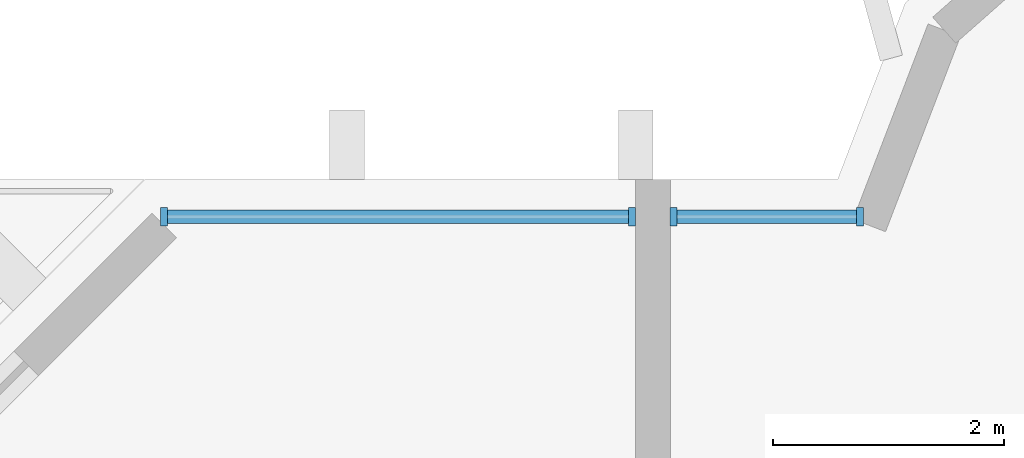
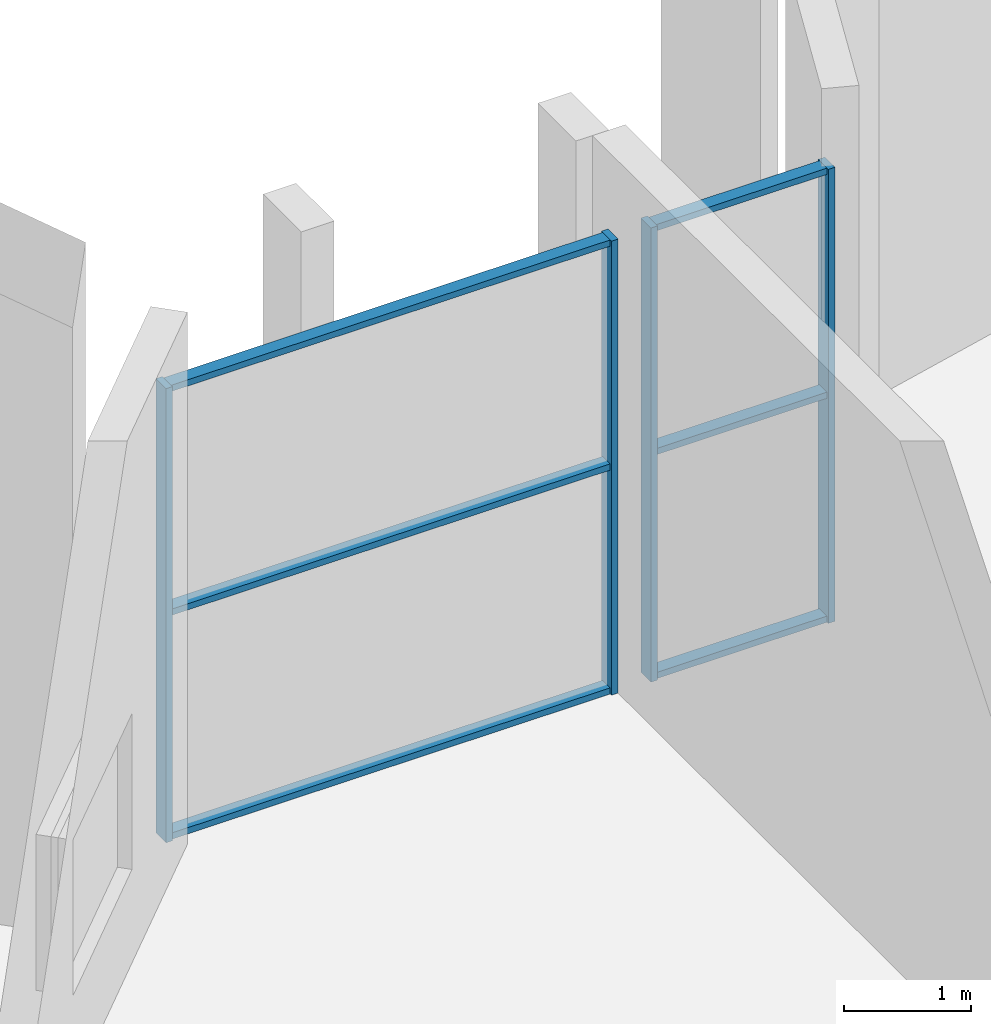
# One storey, part 5 of 19: 10 members, 2 elements without a shape of their own.
"""IFC4 building model written with IfcOpenShell, lengths in metres."""

from ifc_helpers import new_model, si_unit, direction, frame, origin, origin_2d, place, context, subcontext, project, spatial, rectangle, extrude, source, transform, mapped, material, material_profile, profile_set, type_object, element, aggregate, save


model = new_model("IFC4")

# Units and contexts
model_context = context("Model", 3, precision=1e-05, world=origin(), true_north=direction((0.0, 1.0)))
body_context = subcontext(model_context, "Body", "Model", "MODEL_VIEW")
ifc_project = project(units=[si_unit("LENGTHUNIT", "METRE"), si_unit("AREAUNIT", "SQUARE_METRE"), si_unit("VOLUMEUNIT", "CUBIC_METRE"), si_unit("PLANEANGLEUNIT", "RADIAN"), si_unit("MASSUNIT", "GRAM", prefix="KILO")], contexts=[model_context])

# Site, building, storey
site_placement = place(None, origin())
site = spatial("IfcSite", under=ifc_project, at=site_placement, CompositionType="ELEMENT")
building_placement = place(site_placement, origin())
building = spatial("IfcBuilding", under=site, at=building_placement, Name="Vanashikhar Sky Hotel", CompositionType="ELEMENT")
storey_placement = place(building_placement, frame((0.0, 0.0, 146.199951171875)))
storey = spatial("IfcBuildingStorey", under=building, at=storey_placement, Name="L35", CompositionType="ELEMENT", Elevation=146.199951171875)

# Curtain wall, members
ifc_material_1 = material(Name="Glass", Category="glass")
curtain_wall_type = type_object("IfcCurtainWallType", Name="Sky lobby curtain wall", PredefinedType="NOTDEFINED", material=ifc_material_1)
curtain_wall_1_placement = place(storey_placement, origin())
curtain_wall_1 = element("IfcCurtainWall", 1, at=curtain_wall_1_placement, inside=storey, type_object=curtain_wall_type, Name="Sky lobby curtain wall", PredefinedType="NOTDEFINED")
ifc_material_2 = material(Name="Aluminium 6063-T6", Category="aluminium")
ifc_material_profile_1 = material_profile(ifc_material_2, rectangle(XDim=0.159912109375, YDim=0.06005859375, at=origin_2d()))
ifc_profile_set_1 = profile_set([ifc_material_profile_1], Name="Aluminium 6063-T6")
member_type_1 = type_object("IfcMemberType", Name="Sky lobby mullion 60 x 160", PredefinedType="MULLION", material=ifc_profile_set_1)
shared_shape_1 = source(origin(), body_context, "Body", "SweptSolid", [
    extrude(rectangle(XDim=0.159912109375, YDim=0.06005859375, at=origin_2d()), origin(), (0.0, 0.0, 1.0), 4.3701171875),
])
member_1_placement = place(storey_placement, frame((16.6201171875, 41.675048828125, 0.0), z_axis=(0.0, 0.0, 1.0), x_axis=(0.0, -1.0, 0.0)))
member_1 = element("IfcMember", 2, at=member_1_placement, type_object=member_type_1, Name="CW-4 mullion 1", PredefinedType="MULLION", context=body_context, shape_type="MappedRepresentation", body=[
    mapped(shared_shape_1, transform((0.0, 0.0, 0.0), scale=1.0)),
])
member_2_placement = place(storey_placement, frame((12.564697265625, 41.675048828125, 0.0), z_axis=(0.0, 0.0, 1.0), x_axis=(0.0, -1.0, 0.0)))
member_2 = element("IfcMember", 3, at=member_2_placement, type_object=member_type_1, Name="CW-4 mullion 2", PredefinedType="MULLION", context=body_context, shape_type="MappedRepresentation", body=[
    mapped(shared_shape_1, transform((0.0, 0.0, 0.0), scale=1.0)),
])

curtain_wall_2_placement = place(storey_placement, origin())
curtain_wall_2 = element("IfcCurtainWall", 4, at=curtain_wall_2_placement, inside=storey, type_object=curtain_wall_type, Name="Sky lobby curtain wall", PredefinedType="NOTDEFINED")
member_3_placement = place(storey_placement, frame((18.593505859375, 41.675048828125, 0.0), z_axis=(0.0, 0.0, 1.0), x_axis=(0.0, -1.0, 0.0)))
member_3 = element("IfcMember", 5, at=member_3_placement, type_object=member_type_1, Name="CW-4 mullion 1", PredefinedType="MULLION", context=body_context, shape_type="MappedRepresentation", body=[
    mapped(shared_shape_1, transform((0.0, 0.0, 0.0), scale=1.0)),
])
member_4_placement = place(storey_placement, frame((16.97998046875, 41.675048828125, 0.0), z_axis=(0.0, 0.0, 1.0), x_axis=(0.0, -1.0, 0.0)))
member_4 = element("IfcMember", 6, at=member_4_placement, type_object=member_type_1, Name="CW-4 mullion 2", PredefinedType="MULLION", context=body_context, shape_type="MappedRepresentation", body=[
    mapped(shared_shape_1, transform((0.0, 0.0, 0.0), scale=1.0)),
])

# Member
ifc_material_profile_2 = material_profile(ifc_material_2, rectangle(XDim=0.1201171875, YDim=0.06005859375, at=origin_2d()))
ifc_profile_set_2 = profile_set([ifc_material_profile_2], Name="Aluminium 6063-T6")
member_type_2 = type_object("IfcMemberType", Name="Sky lobby transom 60 x 120", PredefinedType="USERDEFINED", material=ifc_profile_set_2)
shared_shape_2 = source(origin(), body_context, "Body", "SweptSolid", [
    extrude(rectangle(XDim=0.1201171875, YDim=0.06005859375, at=origin_2d()), origin(), (0.0, 0.0, 1.0), 3.99560546875),
])
member_5_placement = place(storey_placement, frame((16.590087890625, 41.675048828125, 0.030029296875), z_axis=(-1.0, 0.0, 0.0), x_axis=(0.0, -1.0, 0.0)))
member_5 = element("IfcMember", 7, at=member_5_placement, type_object=member_type_2, Name="CW-4 transom 1.1", ObjectType="TRANSOM", PredefinedType="USERDEFINED", context=body_context, shape_type="MappedRepresentation", body=[
    mapped(shared_shape_2, transform((0.0, 0.0, 0.0), scale=1.0)),
])

member_6_placement = place(storey_placement, frame((16.590087890625, 41.675048828125, 2.18505859375), z_axis=(-1.0, 0.0, 0.0), x_axis=(0.0, -1.0, 0.0)))
member_6 = element("IfcMember", 8, at=member_6_placement, type_object=member_type_2, Name="CW-4 transom 1.2", ObjectType="TRANSOM", PredefinedType="USERDEFINED", context=body_context, shape_type="MappedRepresentation", body=[
    mapped(shared_shape_2, transform((0.0, 0.0, 0.0), scale=1.0)),
])

member_7_placement = place(storey_placement, frame((16.590087890625, 41.675048828125, 4.340087890625), z_axis=(-1.0, 0.0, 0.0), x_axis=(0.0, -1.0, 0.0)))
member_7 = element("IfcMember", 9, at=member_7_placement, type_object=member_type_2, Name="CW-4 transom 1.3", ObjectType="TRANSOM", PredefinedType="USERDEFINED", context=body_context, shape_type="MappedRepresentation", body=[
    mapped(shared_shape_2, transform((0.0, 0.0, 0.0), scale=1.0)),
])

aggregate(curtain_wall_1, [member_1, member_2, member_5, member_6, member_7])

shared_shape_3 = source(origin(), body_context, "Body", "SweptSolid", [
    extrude(rectangle(XDim=0.1201171875, YDim=0.06005859375, at=origin_2d()), origin(), (0.0, 0.0, 1.0), 1.553466796875),
])
member_8_placement = place(storey_placement, frame((18.5634765625, 41.675048828125, 0.030029296875), z_axis=(-1.0, 0.0, 0.0), x_axis=(0.0, -1.0, 0.0)))
member_8 = element("IfcMember", 10, at=member_8_placement, type_object=member_type_2, Name="CW-4 transom 1.1", ObjectType="TRANSOM", PredefinedType="USERDEFINED", context=body_context, shape_type="MappedRepresentation", body=[
    mapped(shared_shape_3, transform((0.0, 0.0, 0.0), scale=1.0)),
])

member_9_placement = place(storey_placement, frame((18.5634765625, 41.675048828125, 2.18505859375), z_axis=(-1.0, 0.0, 0.0), x_axis=(0.0, -1.0, 0.0)))
member_9 = element("IfcMember", 11, at=member_9_placement, type_object=member_type_2, Name="CW-4 transom 1.2", ObjectType="TRANSOM", PredefinedType="USERDEFINED", context=body_context, shape_type="MappedRepresentation", body=[
    mapped(shared_shape_3, transform((0.0, 0.0, 0.0), scale=1.0)),
])

member_10_placement = place(storey_placement, frame((18.5634765625, 41.675048828125, 4.340087890625), z_axis=(-1.0, 0.0, 0.0), x_axis=(0.0, -1.0, 0.0)))
member_10 = element("IfcMember", 12, at=member_10_placement, type_object=member_type_2, Name="CW-4 transom 1.3", ObjectType="TRANSOM", PredefinedType="USERDEFINED", context=body_context, shape_type="MappedRepresentation", body=[
    mapped(shared_shape_3, transform((0.0, 0.0, 0.0), scale=1.0)),
])

aggregate(curtain_wall_2, [member_3, member_4, member_8, member_9, member_10])

save(model, "model.ifc")
